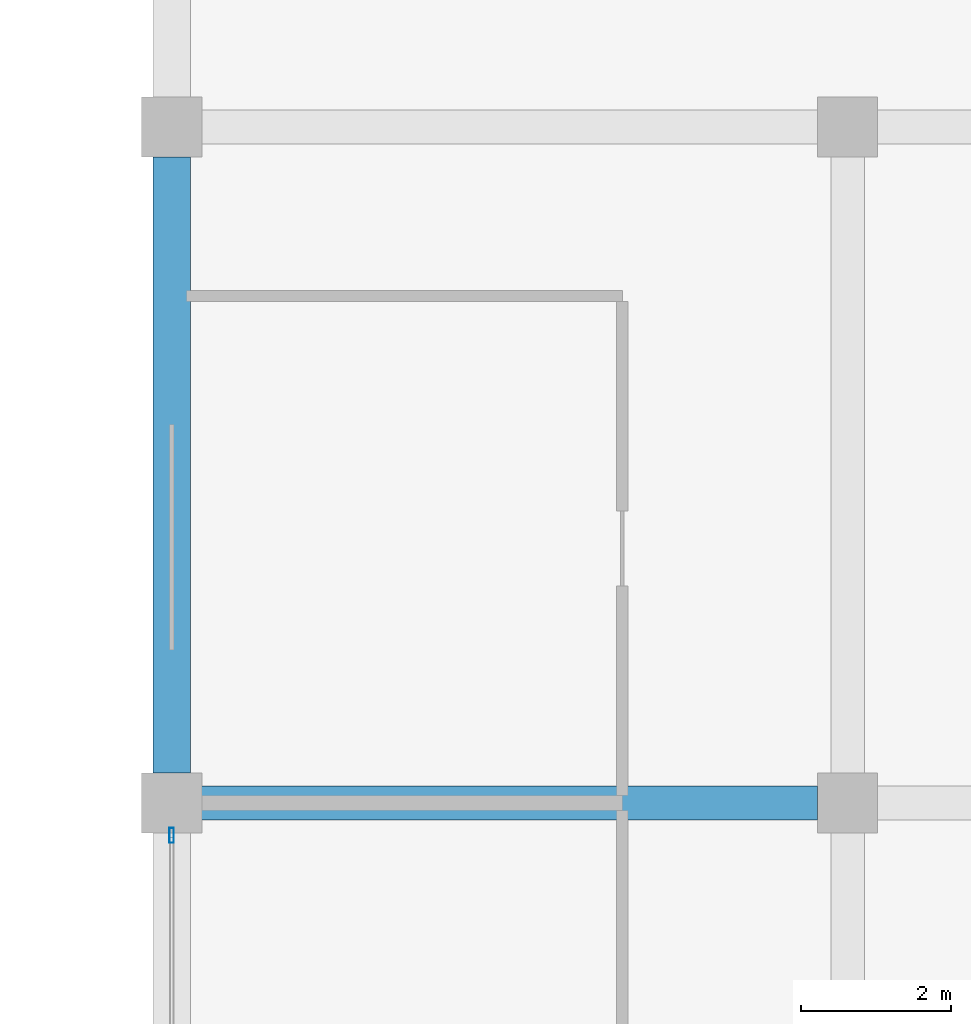
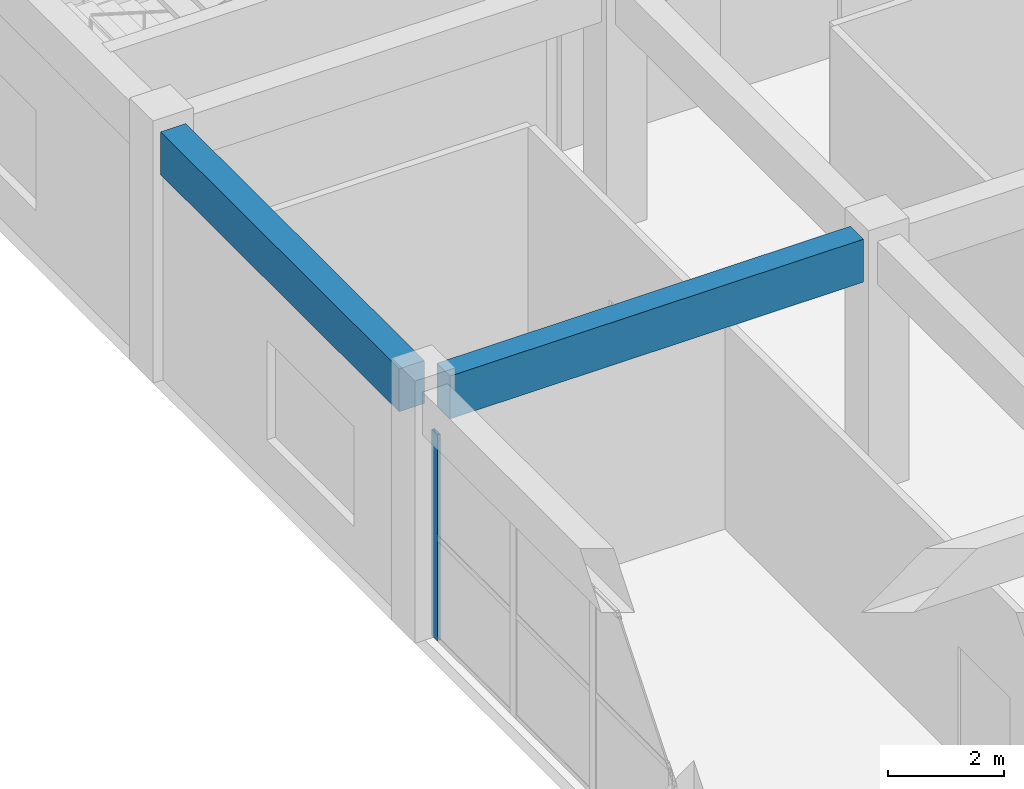
# One storey, part 212 of 437: 2 beams, 1 member, 1 element without a shape of its own.
"""IFC4 building model written with IfcOpenShell, lengths in metres."""

from ifc_helpers import new_model, si_unit, direction, frame, origin, origin_2d, place, context, subcontext, project, spatial, rectangle, hollow_rectangle, extrude, material, layer, layer_set, material_profile, profile_set, type_object, element, aggregate, save


model = new_model("IFC4")

# Units and contexts
model_context = context("Model", 3, precision=1e-05, world=origin(), true_north=direction((0.0, 1.0)))
body_context = subcontext(model_context, "Body", "Model", "MODEL_VIEW")
ifc_project = project(units=[si_unit("LENGTHUNIT", "METRE"), si_unit("AREAUNIT", "SQUARE_METRE"), si_unit("VOLUMEUNIT", "CUBIC_METRE"), si_unit("PLANEANGLEUNIT", "RADIAN"), si_unit("MASSUNIT", "GRAM", prefix="KILO")], contexts=[model_context])

# Site, building, storey
site_placement = place(None, origin())
site = spatial("IfcSite", under=ifc_project, at=site_placement, CompositionType="ELEMENT")
building_placement = place(site_placement, origin())
building = spatial("IfcBuilding", under=site, at=building_placement, Name="Opaline Strait Convention Centre", CompositionType="ELEMENT")
storey_placement = place(building_placement, frame((0.0, 0.0, 11.5)))
storey = spatial("IfcBuildingStorey", under=building, at=storey_placement, Name="L02", CompositionType="ELEMENT", Elevation=11.5)

# Curtain wall, member
ifc_material_1 = material(Name="Aluminium framed double glazing", Category="aluminium")
ifc_layer = layer(ifc_material_1, 0.199951171875)
ifc_layer_set = layer_set([ifc_layer], Name="Aluminium framed double glazing")
curtain_wall_type = type_object("IfcCurtainWallType", Name="Curtain wall 3000 module unitised", PredefinedType="NOTDEFINED", material=ifc_layer_set)
curtain_wall_placement = place(storey_placement, origin())
curtain_wall = element("IfcCurtainWall", 1, at=curtain_wall_placement, inside=storey, type_object=curtain_wall_type, Name="Curtain wall W L02 32/T", PredefinedType="NOTDEFINED")
ifc_material_2 = material(Name="Aluminium alloy 6063", Category="aluminium")
ifc_material_profile_1 = material_profile(ifc_material_2, hollow_rectangle(XDim=0.06005859375, YDim=0.199951171875, WallThickness=0.00390625, at=origin_2d()), Name="MULLION 60x200x4")
ifc_profile_set_1 = profile_set([ifc_material_profile_1], Name="Aluminium alloy 6063")
member_type = type_object("IfcMemberType", Name="Curtain wall mullion 60 x 200", PredefinedType="MULLION", material=ifc_profile_set_1)
member_placement = place(storey_placement, frame((279.0, 161.570068359375, 0.0), z_axis=(0.0, 0.0, 1.0), x_axis=(-1.0, 0.0, 0.0)))
member = element("IfcMember", 2, at=member_placement, type_object=member_type, Name="MCWR1 mullion 4", PredefinedType="MULLION", context=body_context, shape_type="SweptSolid", body=[
    extrude(hollow_rectangle(XDim=0.06005859375, YDim=0.199951171875, WallThickness=0.00390625, at=origin_2d()), origin(), (0.0, 0.0, 1.0), 4.320068359375),
])
aggregate(curtain_wall, [member])

# Beams
ifc_material_3 = material(Name="Concrete C35", Category="concrete")
ifc_material_profile_2 = material_profile(ifc_material_3, rectangle(XDim=0.449951171875, YDim=0.89990234375, at=origin_2d()), Name="RC 450x900")
ifc_profile_set_2 = profile_set([ifc_material_profile_2], Name="Concrete C35")
beam_type_1 = type_object("IfcBeamType", Name="RC beam 450x900 C35", PredefinedType="BEAM", material=ifc_profile_set_2)
beam_1_placement = place(storey_placement, frame((279.39990234375, 162.0, 4.77001953125), z_axis=(1.0, 0.0, 0.0), x_axis=(0.0, 1.0, 0.0)))
element("IfcBeam", 3, at=beam_1_placement, inside=storey, type_object=beam_type_1, Name="XB1 L02 32/U-33/U", PredefinedType="BEAM", context=body_context, shape_type="SweptSolid", body=[
    extrude(rectangle(XDim=0.449951171875, YDim=0.89990234375, at=origin_2d()), origin(), (0.0, 0.0, 1.0), 8.2001953125),
])
ifc_material_profile_3 = material_profile(ifc_material_3, rectangle(XDim=0.5, YDim=0.89990234375, at=origin_2d()), Name="RC 500x900")
ifc_profile_set_3 = profile_set([ifc_material_profile_3], Name="Concrete C35")
beam_type_2 = type_object("IfcBeamType", Name="RC edge beam 500x900 C35", PredefinedType="BEAM", material=ifc_profile_set_3)
beam_2_placement = place(storey_placement, frame((279.0, 162.39990234375, 4.77001953125), z_axis=(0.0, 1.0, 0.0), x_axis=(-1.0, 0.0, 0.0)))
element("IfcBeam", 4, at=beam_2_placement, inside=storey, type_object=beam_type_2, Name="MRB2 L02 32/U-32/V", PredefinedType="BEAM", context=body_context, shape_type="SweptSolid", body=[
    extrude(rectangle(XDim=0.5, YDim=0.89990234375, at=origin_2d()), origin(), (0.0, 0.0, 1.0), 8.2001953125),
])

save(model, "model.ifc")
